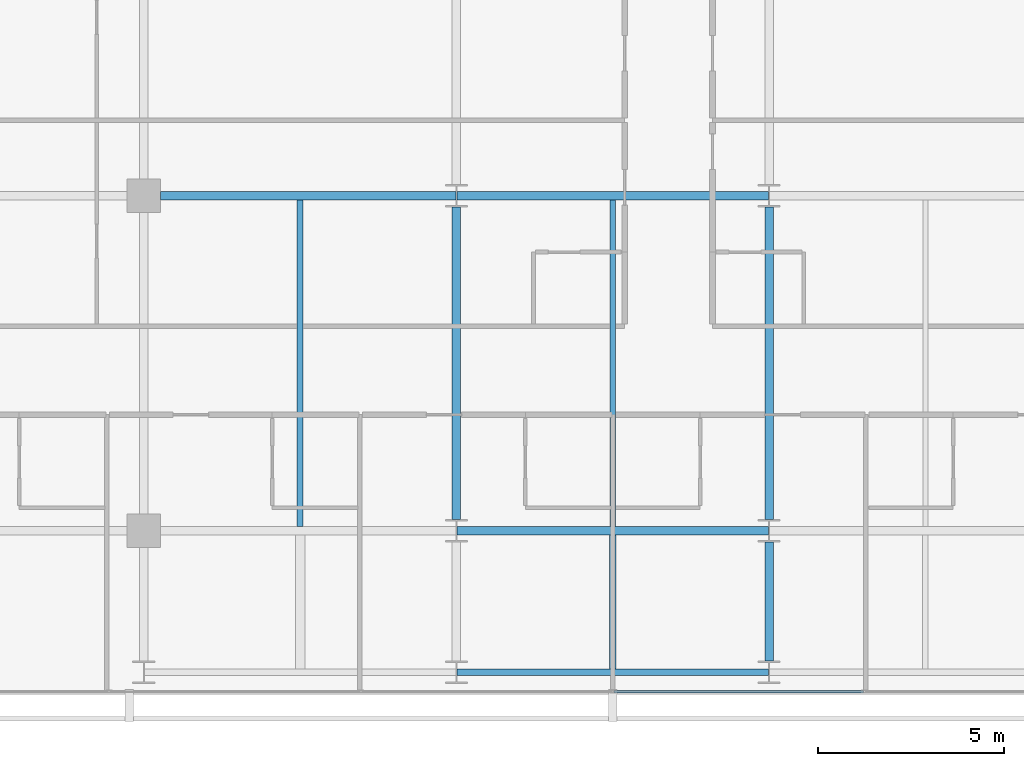
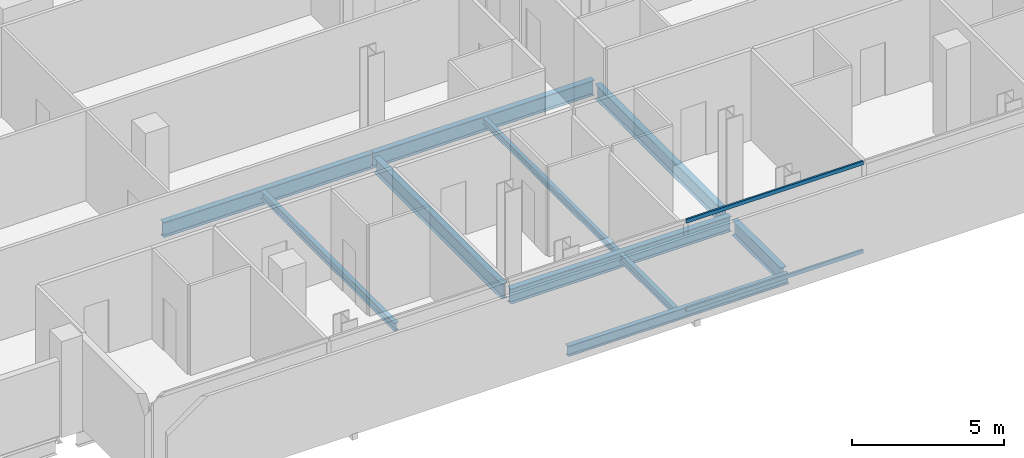
# One storey, part 7 of 33: 10 beams, 2 members, 1 element without a shape of its own.
"""IFC4 building model written with IfcOpenShell, lengths in metres."""

from ifc_helpers import new_model, si_unit, direction, frame, origin, origin_2d, place, context, subcontext, project, spatial, hollow_rectangle, i_section, extrude, material, layer, layer_set, material_profile, profile_set, type_object, element, aggregate, save


model = new_model("IFC4")

# Units and contexts
model_context = context("Model", 3, precision=1e-05, world=origin(), true_north=direction((0.0, 1.0)))
body_context = subcontext(model_context, "Body", "Model", "MODEL_VIEW")
ifc_project = project(units=[si_unit("LENGTHUNIT", "METRE"), si_unit("AREAUNIT", "SQUARE_METRE"), si_unit("VOLUMEUNIT", "CUBIC_METRE"), si_unit("PLANEANGLEUNIT", "RADIAN"), si_unit("MASSUNIT", "GRAM", prefix="KILO")], contexts=[model_context])

# Site, building, storey
site_placement = place(None, origin())
site = spatial("IfcSite", under=ifc_project, at=site_placement, CompositionType="ELEMENT")
building_placement = place(site_placement, origin())
building = spatial("IfcBuilding", under=site, at=building_placement, Name="Maruvema Waterfront Hotel and Observation Tower", CompositionType="ELEMENT")
storey_placement = place(building_placement, frame((0.0, 0.0, 158.199951171875)))
storey = spatial("IfcBuildingStorey", under=building, at=storey_placement, Name="L38", CompositionType="ELEMENT", Elevation=158.199951171875)

# Curtain wall, members
ifc_material_1 = material(Name="Anodised bronze aluminium and solar-control low-E IGU", Category="aluminium")
ifc_layer = layer(ifc_material_1, 0.159912109375, Name="Zone 2 Amber Inner Thermal Curtain Wall System CW-03")
ifc_layer_set = layer_set([ifc_layer], Name="Anodised bronze aluminium and solar-control low-E IGU")
curtain_wall_type = type_object("IfcCurtainWallType", Name="Zone 2 Amber Inner Thermal Curtain Wall System CW-03", PredefinedType="USERDEFINED", material=ifc_layer_set)
curtain_wall_placement = place(storey_placement, origin())
curtain_wall = element("IfcCurtainWall", 1, at=curtain_wall_placement, inside=storey, type_object=curtain_wall_type, Name="L38 Curtain Wall CW-L38-S", ObjectType="UNITISED CURTAIN WALL", PredefinedType="USERDEFINED")
ifc_material_2 = material(Name="Anodised architectural bronze aluminium", Category="aluminium")
ifc_material_profile_1 = material_profile(ifc_material_2, hollow_rectangle(XDim=0.070068359375, YDim=0.14990234375, WallThickness=0.00390625, at=origin_2d()), Name="ALU-T70x150")
ifc_profile_set_1 = profile_set([ifc_material_profile_1], Name="Anodised architectural bronze aluminium")
member_type = type_object("IfcMemberType", Name="Curtain Wall Horizontal Transom ALU-T70x150", PredefinedType="USERDEFINED", material=ifc_profile_set_1)
member_1_placement = place(storey_placement, frame((37.830078125, 4.679931640625, 0.030029296875), z_axis=(1.0, 0.0, 0.0), x_axis=(0.0, 1.0, 0.0)))
member_1 = element("IfcMember", 2, at=member_1_placement, type_object=member_type, Name="CW-03 transom 4.1", ObjectType="TRANSOM", PredefinedType="USERDEFINED", context=body_context, shape_type="SweptSolid", body=[
    extrude(hollow_rectangle(XDim=0.070068359375, YDim=0.14990234375, WallThickness=0.00390625, at=origin_2d()), origin(), (0.0, 0.0, 1.0), 6.70654296875),
])
member_2_placement = place(storey_placement, frame((37.830078125, 4.679931640625, 3.580078125), z_axis=(1.0, 0.0, 0.0), x_axis=(0.0, 1.0, 0.0)))
member_2 = element("IfcMember", 3, at=member_2_placement, type_object=member_type, Name="CW-03 transom 4.2", ObjectType="TRANSOM", PredefinedType="USERDEFINED", context=body_context, shape_type="SweptSolid", body=[
    extrude(hollow_rectangle(XDim=0.070068359375, YDim=0.14990234375, WallThickness=0.00390625, at=origin_2d()), origin(), (0.0, 0.0, 1.0), 6.70654296875),
])
aggregate(curtain_wall, [member_1, member_2])

# Beams
ifc_material_3 = material(Name="Steel ASTM A572 Grade 50", Category="steel")
ifc_material_profile_2 = material_profile(ifc_material_3, i_section(OverallWidth=0.180908203125, OverallDepth=0.4169921875, WebThickness=0.010986328125, FlangeThickness=0.018310546875, FilletRadius=0.014892578125, at=origin_2d()), Name="W410x85.0")
ifc_profile_set_2 = profile_set([ifc_material_profile_2], Name="Steel ASTM A572 Grade 50")
beam_type_1 = type_object("IfcBeamType", Name="Perimeter Spandrel Beam W410x85.0", PredefinedType="SPANDREL", material=ifc_profile_set_2)
beam_1_placement = place(storey_placement, frame((33.612548828125, 5.199951171875, -0.448486328125), z_axis=(1.0, 0.0, 0.0), x_axis=(0.0, 1.0, 0.0)))
element("IfcBeam", 4, at=beam_1_placement, inside=storey, type_object=beam_type_1, Name="L38 Floor Girder EW-02", PredefinedType="SPANDREL", context=body_context, shape_type="SweptSolid", body=[
    extrude(i_section(OverallWidth=0.180908203125, OverallDepth=0.4169921875, WebThickness=0.010986328125, FlangeThickness=0.018310546875, FilletRadius=0.014892578125, at=origin_2d()), origin(), (0.0, 0.0, 1.0), 8.375),
])
ifc_material_4 = material(Name="Steel ASTM A572 Grade 50", Category="steel")
ifc_material_profile_3 = material_profile(ifc_material_4, i_section(OverallWidth=0.22802734375, OverallDepth=0.60302734375, WebThickness=0.010498046875, FlangeThickness=0.014892578125, FilletRadius=0.01806640625, at=origin_2d()), Name="W610x101.0")
ifc_profile_set_3 = profile_set([ifc_material_profile_3], Name="Steel ASTM A572 Grade 50")
beam_type_2 = type_object("IfcBeamType", Name="Primary Floor Girder W610x101.0", PredefinedType="BEAM", material=ifc_profile_set_3)
beam_2_placement = place(storey_placement, frame((33.612548828125, 9.0, -0.54150390625), z_axis=(1.0, 0.0, 0.0), x_axis=(0.0, 1.0, 0.0)))
element("IfcBeam", 5, at=beam_2_placement, inside=storey, type_object=beam_type_2, Name="L38 Floor Girder EW-07", PredefinedType="BEAM", context=body_context, shape_type="SweptSolid", body=[
    extrude(i_section(OverallWidth=0.22802734375, OverallDepth=0.60302734375, WebThickness=0.010498046875, FlangeThickness=0.014892578125, FilletRadius=0.01806640625, at=origin_2d()), origin(), (0.0, 0.0, 1.0), 8.375),
])
beam_3_placement = place(storey_placement, frame((25.64990234375, 18.0, -0.54150390625), z_axis=(1.0, 0.0, 0.0), x_axis=(0.0, 1.0, 0.0)))
element("IfcBeam", 6, at=beam_3_placement, inside=storey, type_object=beam_type_2, Name="L38 Floor Girder EW-13", PredefinedType="BEAM", context=body_context, shape_type="SweptSolid", body=[
    extrude(i_section(OverallWidth=0.22802734375, OverallDepth=0.60302734375, WebThickness=0.010498046875, FlangeThickness=0.014892578125, FilletRadius=0.01806640625, at=origin_2d()), origin(), (0.0, 0.0, 1.0), 7.9375),
])
beam_4_placement = place(storey_placement, frame((33.612548828125, 18.0, -0.54150390625), z_axis=(1.0, 0.0, 0.0), x_axis=(0.0, 1.0, 0.0)))
element("IfcBeam", 7, at=beam_4_placement, inside=storey, type_object=beam_type_2, Name="L38 Floor Girder EW-14", PredefinedType="BEAM", context=body_context, shape_type="SweptSolid", body=[
    extrude(i_section(OverallWidth=0.22802734375, OverallDepth=0.60302734375, WebThickness=0.010498046875, FlangeThickness=0.014892578125, FilletRadius=0.01806640625, at=origin_2d()), origin(), (0.0, 0.0, 1.0), 8.375),
])
beam_5_placement = place(storey_placement, frame((33.60009765625, 9.300048828125, -0.54150390625), z_axis=(0.0, 1.0, 0.0), x_axis=(-1.0, 0.0, 0.0)))
element("IfcBeam", 8, at=beam_5_placement, inside=storey, type_object=beam_type_2, Name="L38 Floor Girder NS-15", PredefinedType="BEAM", context=body_context, shape_type="SweptSolid", body=[
    extrude(i_section(OverallWidth=0.22802734375, OverallDepth=0.60302734375, WebThickness=0.010498046875, FlangeThickness=0.014892578125, FilletRadius=0.01806640625, at=origin_2d()), origin(), (0.0, 0.0, 1.0), 8.39990234375),
])
beam_6_placement = place(storey_placement, frame((42.0, 5.5, -0.54150390625), z_axis=(0.0, 1.0, 0.0), x_axis=(-1.0, 0.0, 0.0)))
element("IfcBeam", 9, at=beam_6_placement, inside=storey, type_object=beam_type_2, Name="L38 Floor Girder NS-17", PredefinedType="BEAM", context=body_context, shape_type="SweptSolid", body=[
    extrude(i_section(OverallWidth=0.22802734375, OverallDepth=0.60302734375, WebThickness=0.010498046875, FlangeThickness=0.014892578125, FilletRadius=0.01806640625, at=origin_2d()), origin(), (0.0, 0.0, 1.0), 3.199951171875),
])
beam_7_placement = place(storey_placement, frame((42.0, 9.300048828125, -0.54150390625), z_axis=(0.0, 1.0, 0.0), x_axis=(-1.0, 0.0, 0.0)))
element("IfcBeam", 10, at=beam_7_placement, inside=storey, type_object=beam_type_2, Name="L38 Floor Girder NS-18", PredefinedType="BEAM", context=body_context, shape_type="SweptSolid", body=[
    extrude(i_section(OverallWidth=0.22802734375, OverallDepth=0.60302734375, WebThickness=0.010498046875, FlangeThickness=0.014892578125, FilletRadius=0.01806640625, at=origin_2d()), origin(), (0.0, 0.0, 1.0), 8.39990234375),
])
ifc_material_5 = material(Name="Steel ASTM A572 Grade 50", Category="steel")
ifc_material_profile_4 = material_profile(ifc_material_5, i_section(OverallWidth=0.14794921875, OverallDepth=0.26611328125, WebThickness=0.007568359375, FlangeThickness=0.012939453125, FilletRadius=0.012939453125, at=origin_2d()), Name="W250x44.8")
ifc_profile_set_4 = profile_set([ifc_material_profile_4], Name="Steel ASTM A572 Grade 50")
beam_type_3 = type_object("IfcBeamType", Name="Secondary Floor Joist W250x44.8", PredefinedType="JOIST", material=ifc_profile_set_4)
beam_8_placement = place(storey_placement, frame((37.800048828125, 9.114013671875, -0.373046875), z_axis=(0.0, 1.0, 0.0), x_axis=(-1.0, 0.0, 0.0)))
element("IfcBeam", 11, at=beam_8_placement, inside=storey, type_object=beam_type_3, Name="L38 Secondary Floor Joist JS-08", PredefinedType="JOIST", context=body_context, shape_type="SweptSolid", body=[
    extrude(i_section(OverallWidth=0.14794921875, OverallDepth=0.26611328125, WebThickness=0.007568359375, FlangeThickness=0.012939453125, FilletRadius=0.012939453125, at=origin_2d()), origin(), (0.0, 0.0, 1.0), 8.77197265625),
])
ifc_material_6 = material(Name="Steel ASTM A572 Grade 50", Category="steel")
ifc_material_profile_5 = material_profile(ifc_material_6, i_section(OverallWidth=0.1650390625, OverallDepth=0.31005859375, WebThickness=0.005859375, FlangeThickness=0.009765625, FilletRadius=0.012939453125, at=origin_2d()), Name="W310x38.7")
ifc_profile_set_5 = profile_set([ifc_material_profile_5], Name="Steel ASTM A572 Grade 50")
beam_type_4 = type_object("IfcBeamType", Name="Secondary Floor Joist W310x38.7", PredefinedType="JOIST", material=ifc_profile_set_5)
beam_9_placement = place(storey_placement, frame((37.800048828125, 5.29052734375, -0.39501953125), z_axis=(0.0, 1.0, 0.0), x_axis=(-1.0, 0.0, 0.0)))
element("IfcBeam", 12, at=beam_9_placement, inside=storey, type_object=beam_type_4, Name="L38 Secondary Floor Joist JS-07", PredefinedType="JOIST", context=body_context, shape_type="SweptSolid", body=[
    extrude(i_section(OverallWidth=0.1650390625, OverallDepth=0.31005859375, WebThickness=0.005859375, FlangeThickness=0.009765625, FilletRadius=0.012939453125, at=origin_2d()), origin(), (0.0, 0.0, 1.0), 3.595458984375),
])
ifc_material_7 = material(Name="Steel ASTM A572 Grade 50", Category="steel")
ifc_material_profile_6 = material_profile(ifc_material_7, i_section(OverallWidth=0.1669921875, OverallDepth=0.31689453125, WebThickness=0.007568359375, FlangeThickness=0.01318359375, FilletRadius=0.012939453125, at=origin_2d()), Name="W310x52.0")
ifc_profile_set_6 = profile_set([ifc_material_profile_6], Name="Steel ASTM A572 Grade 50")
beam_type_5 = type_object("IfcBeamType", Name="Secondary Floor Joist W310x52.0", PredefinedType="JOIST", material=ifc_profile_set_6)
beam_10_placement = place(storey_placement, frame((29.39990234375, 9.114013671875, -0.3984375), z_axis=(0.0, 1.0, 0.0), x_axis=(-1.0, 0.0, 0.0)))
element("IfcBeam", 13, at=beam_10_placement, inside=storey, type_object=beam_type_5, Name="L38 Secondary Floor Joist JS-06", PredefinedType="JOIST", context=body_context, shape_type="SweptSolid", body=[
    extrude(i_section(OverallWidth=0.1669921875, OverallDepth=0.31689453125, WebThickness=0.007568359375, FlangeThickness=0.01318359375, FilletRadius=0.012939453125, at=origin_2d()), origin(), (0.0, 0.0, 1.0), 8.77197265625),
])

save(model, "model.ifc")
